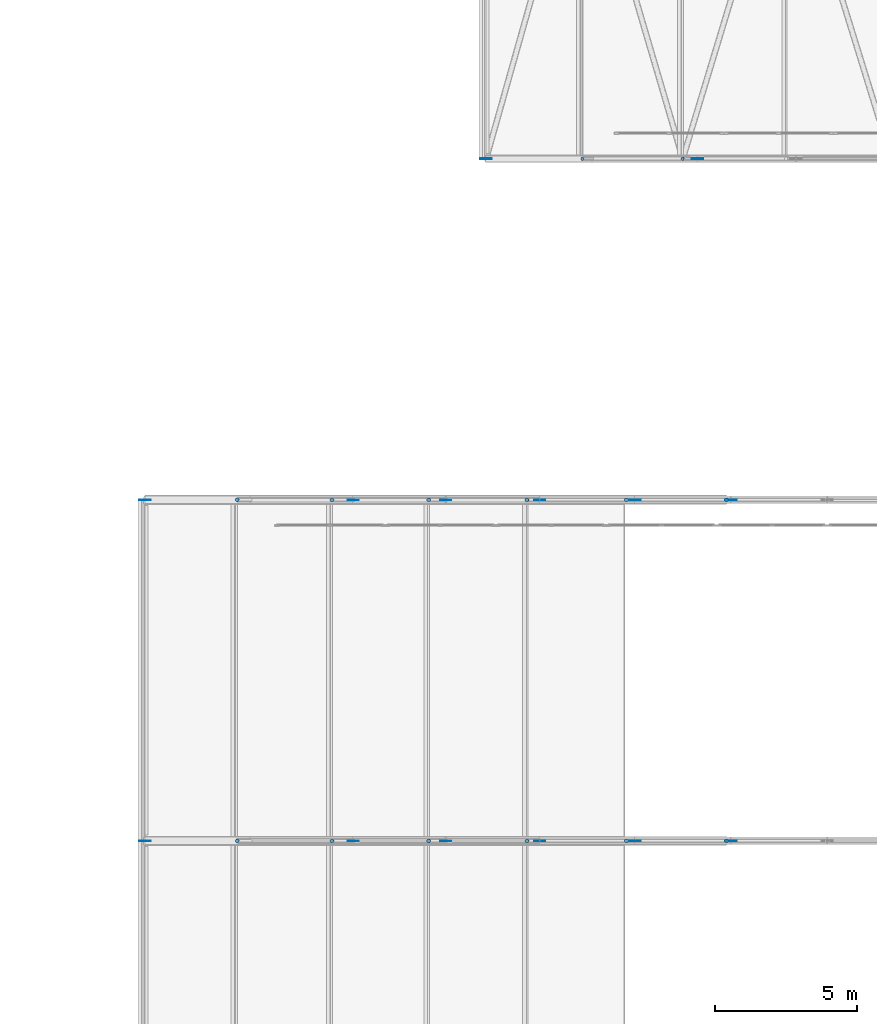
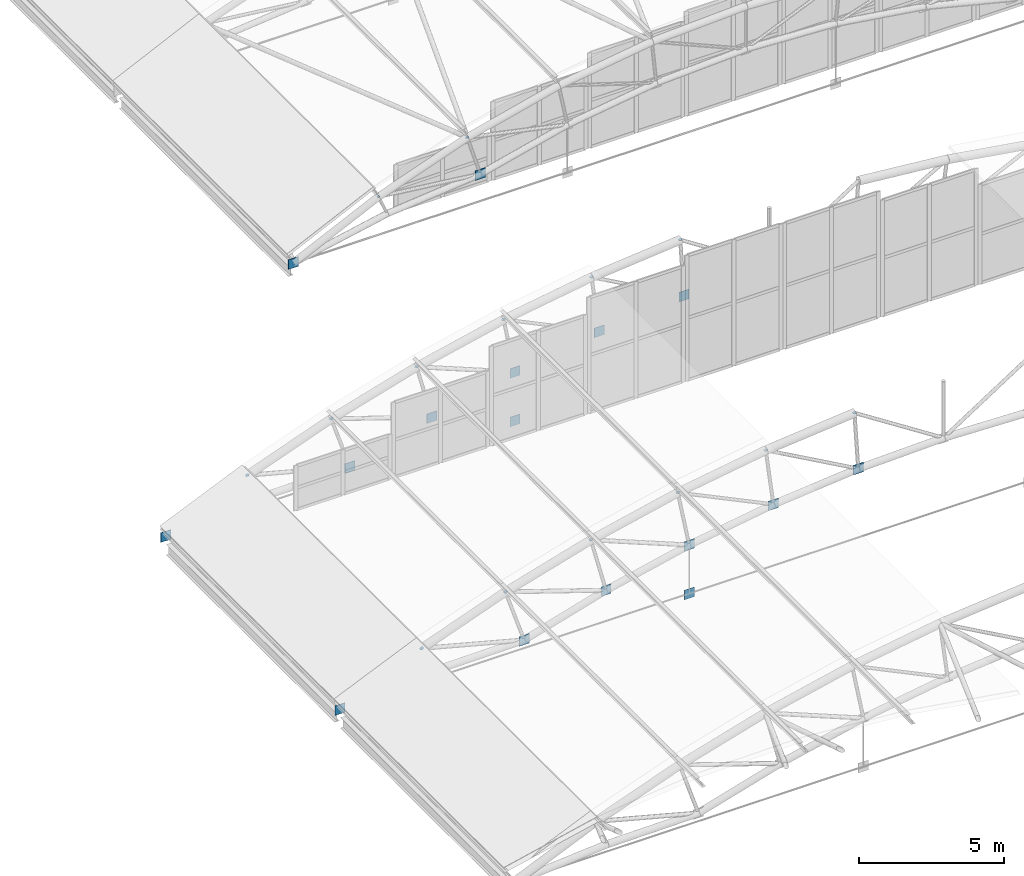
# One storey, part 290 of 321: 30 discrete accessories.
"""IFC4 building model written with IfcOpenShell, lengths in metres."""

import ifcopenshell
import ifcopenshell.guid

model = None  # the IFC model being written
_history = None  # IfcOwnerHistory: only IFC2X3 demands one
_inside = {}  # id of a spatial element -> (the spatial element, [elements in it])
_under = {}  # id of a project, library or spatial element -> (it, [spatial elements below it])
_declared = {}  # id of a project -> (the project, [libraries it declares])
_typed = {}  # id of a type object -> (the type object, [elements of that type])
_made_of = {}  # id of a material, layer set ... -> (it, [elements and type objects made of it])


def new_model(schema):
    """Start an empty IFC model of exactly this schema.

    Asked for "IFC4X3", IfcOpenShell would pick the latest addendum, in which some entities
    have other attributes; the version numbers below select the first issue.
    IFC2X3 requires an IfcOwnerHistory on every rooted entity: one is made here for all.
    """
    global model, _history
    if schema == "IFC4X3":
        model = ifcopenshell.file(schema_version=(4, 3, 0, 0))
    else:
        model = ifcopenshell.file(schema=schema)
    _inside.clear()
    _under.clear()
    _declared.clear()
    _typed.clear()
    _made_of.clear()
    _history = None
    if model.schema == "IFC2X3":
        org = make("IfcOrganization", Name="unknown")
        user = make(
            "IfcPersonAndOrganization",
            ThePerson=make("IfcPerson", FamilyName="unknown"),
            TheOrganization=org,
        )
        app = make(
            "IfcApplication",
            ApplicationDeveloper=org,
            Version="unknown",
            ApplicationFullName="unknown",
            ApplicationIdentifier="unknown",
        )
        _history = make(
            "IfcOwnerHistory",
            OwningUser=user,
            OwningApplication=app,
            ChangeAction="ADDED",
            CreationDate=0,
        )
    return model


def make(cls, **values):
    """One entity of the class cls with the attributes given. An attribute that is None is left unset."""
    return model.create_entity(
        cls, **{name: value for name, value in values.items() if value is not None}
    )


def rooted(cls, **values):
    """An entity with a GlobalId (a new one), such as an element, a storey or a relation."""
    return make(cls, GlobalId=ifcopenshell.guid.new(), OwnerHistory=_history, **values)


def si_unit(unit_type, name, prefix=None):
    """IfcSIUnit, for example si_unit("LENGTHUNIT", "METRE", prefix="MILLI")."""
    return make("IfcSIUnit", UnitType=unit_type, Prefix=prefix, Name=name)


def assignment(units):
    """IfcUnitAssignment: the units of a project."""
    return None if units is None else make("IfcUnitAssignment", Units=units)


def point(xyz):
    """IfcCartesianPoint."""
    return None if xyz is None else make("IfcCartesianPoint", Coordinates=xyz)


def direction(xyz):
    """IfcDirection."""
    return None if xyz is None else make("IfcDirection", DirectionRatios=xyz)


def frame(location, z_axis=None, x_axis=None):
    """IfcAxis2Placement3D, a coordinate frame: its origin and axes. An axis left out is left unset."""
    return make(
        "IfcAxis2Placement3D",
        Location=point(location),
        Axis=direction(z_axis),
        RefDirection=direction(x_axis),
    )


def frame_2d(location, x_axis=None):
    """IfcAxis2Placement2D, a coordinate frame in the plane: its origin and x axis."""
    return make(
        "IfcAxis2Placement2D", Location=point(location), RefDirection=direction(x_axis)
    )


def origin():
    """The frame at (0, 0, 0) with its axes left unset."""
    return frame((0.0, 0.0, 0.0))


def origin_2d():
    """The frame at (0, 0) in the plane with its x axis left unset."""
    return frame_2d((0.0, 0.0))


def place(relative_to, where):
    """IfcLocalPlacement: puts the frame where relative to a parent placement (None: the world)."""
    return make(
        "IfcLocalPlacement", PlacementRelTo=relative_to, RelativePlacement=where
    )


def context(
    kind, dimensions, precision=None, world=None, true_north=None, identifier=None
):
    """IfcGeometricRepresentationContext, for example the 3D "Model" context."""
    return make(
        "IfcGeometricRepresentationContext",
        ContextIdentifier=identifier,
        ContextType=kind,
        CoordinateSpaceDimension=dimensions,
        Precision=precision,
        WorldCoordinateSystem=world,
        TrueNorth=true_north,
    )


def subcontext(parent, identifier, kind, view, scale=None):
    """IfcGeometricRepresentationSubContext, for example "Body" below "Model"."""
    return make(
        "IfcGeometricRepresentationSubContext",
        ContextIdentifier=identifier,
        ContextType=kind,
        ParentContext=parent,
        TargetScale=scale,
        TargetView=view,
    )


def project(units=None, contexts=None):
    """IfcProject with its units and contexts."""
    return rooted(
        "IfcProject",
        Name="project",
        RepresentationContexts=contexts,
        UnitsInContext=assignment(units),
    )


def spatial(cls, under=None, at=None, **own):
    """A site, building, storey or space (cls), placed at a placement, below another one or the project."""
    s = rooted(cls, ObjectPlacement=at, **own)
    if under is not None:
        _under.setdefault(under.id(), (under, []))[1].append(s)
    return s


def profile(cls, at=None, kind="AREA", **sizes):
    """A parametric profile (cls). Its sizes go by their IFC names, for example OverallWidth=200.0."""
    return make(cls, ProfileType=kind, Position=at, **sizes)


def rectangle(**sizes):
    """IfcRectangleProfileDef."""
    return profile("IfcRectangleProfileDef", **sizes)


def circle(**sizes):
    """IfcCircleProfileDef."""
    return profile("IfcCircleProfileDef", **sizes)


def extrude(swept, where, along, depth):
    """IfcExtrudedAreaSolid: the profile swept, set in the frame where, extruded along a direction by depth."""
    return make(
        "IfcExtrudedAreaSolid",
        SweptArea=swept,
        Position=where,
        ExtrudedDirection=direction(along),
        Depth=depth,
    )


def shape(context_of_items, identifier, shape_type, items):
    """IfcShapeRepresentation: the items that make up one representation, for example the "Body"."""
    return make(
        "IfcShapeRepresentation",
        ContextOfItems=context_of_items,
        RepresentationIdentifier=identifier,
        RepresentationType=shape_type,
        Items=items,
    )


def material(Name=None, Category=None):
    """IfcMaterial."""
    return make("IfcMaterial", Name=Name, Category=Category)


def material_profile(
    of_material, cross_section, Name=None, Category=None, Priority=None
):
    """IfcMaterialProfile: a cross section and its material."""
    return make(
        "IfcMaterialProfile",
        Name=Name,
        Material=of_material,
        Profile=cross_section,
        Priority=Priority,
        Category=Category,
    )


def profile_set(profiles, Name=None, composite=None):
    """IfcMaterialProfileSet."""
    return make(
        "IfcMaterialProfileSet",
        Name=Name,
        MaterialProfiles=profiles,
        CompositeProfile=composite,
    )


def made_of(thing, what):
    """Note that an element or type object is made of a material, layer set ...; save() writes the relation."""
    if what is not None:
        _made_of.setdefault(what.id(), (what, []))[1].append(thing)
    return thing


def type_object(cls, material=None, **own):
    """A type object (cls), such as IfcWallType, which elements share."""
    return made_of(rooted(cls, **own), material)


def element(
    cls,
    number,
    at=None,
    inside=None,
    cuts=None,
    type_object=None,
    material=None,
    context=None,
    identifier="Body",
    shape_type=None,
    held_by="IfcProductDefinitionShape",
    body=None,
    shapes=None,
    **own,
):
    """One element of the class cls, such as IfcWall. Its Tag is "e" and its number.

    at: its placement. inside: the storey or other place that contains it. cuts: it is an
    opening in that element (IfcRelVoidsElement). A single representation is given by context,
    identifier, shape_type and body (its items); several are given by shapes. held_by: the class
    of the entity that holds the representations. save() writes the other relations.
    """
    e = rooted(cls, Tag="e%d" % number, ObjectPlacement=at, **own)
    if body is not None:
        shapes = [shape(context, identifier, shape_type, body)]
    if shapes is not None:
        e.Representation = make(held_by, Representations=shapes)
    if inside is not None:
        _inside.setdefault(inside.id(), (inside, []))[1].append(e)
    if cuts is not None:
        rooted(
            "IfcRelVoidsElement", RelatingBuildingElement=cuts, RelatedOpeningElement=e
        )
    if type_object is not None:
        _typed.setdefault(type_object.id(), (type_object, []))[1].append(e)
    return made_of(e, material)


def aggregate(whole, parts):
    """IfcRelAggregates: a whole, such as a stair, and the parts it consists of."""
    return rooted("IfcRelAggregates", RelatingObject=whole, RelatedObjects=parts)


def save(model, path):
    """Write the relations noted so far, then the file.

    IfcRelAggregates (storeys below a building ...), IfcRelContainedInSpatialStructure (elements
    in a storey), IfcRelDefinesByType, IfcRelAssociatesMaterial and IfcRelDeclares: one each for
    every whole, place, type object, material and project.
    """
    for whole, parts in _under.values():
        aggregate(whole, parts)
    for where, things in _inside.values():
        rooted(
            "IfcRelContainedInSpatialStructure",
            RelatedElements=things,
            RelatingStructure=where,
        )
    for kind, things in _typed.values():
        rooted("IfcRelDefinesByType", RelatedObjects=things, RelatingType=kind)
    for what, things in _made_of.values():
        rooted("IfcRelAssociatesMaterial", RelatedObjects=things, RelatingMaterial=what)
    for by, libraries in _declared.values():
        rooted("IfcRelDeclares", RelatingContext=by, RelatedDefinitions=libraries)
    model.write(path)


model = new_model("IFC4")

# Units and contexts
model_context = context("Model", 3, precision=1e-05, world=origin(), true_north=direction((0.0, 1.0)))
body_context = subcontext(model_context, "Body", "Model", "MODEL_VIEW")
ifc_project = project(units=[si_unit("LENGTHUNIT", "METRE"), si_unit("AREAUNIT", "SQUARE_METRE"), si_unit("VOLUMEUNIT", "CUBIC_METRE"), si_unit("PLANEANGLEUNIT", "RADIAN"), si_unit("MASSUNIT", "GRAM", prefix="KILO")], contexts=[model_context])

# Site, building, storey
site_placement = place(None, origin())
site = spatial("IfcSite", under=ifc_project, at=site_placement, CompositionType="ELEMENT")
building_placement = place(site_placement, origin())
building = spatial("IfcBuilding", under=site, at=building_placement, Name="Ravi Spectrum Wholesale Market", CompositionType="ELEMENT")
storey_placement = place(building_placement, frame((0.0, 0.0, 10.800048828125)))
storey = spatial("IfcBuildingStorey", under=building, at=storey_placement, Name="L02", CompositionType="ELEMENT", Elevation=10.800048828125)

# Discrete accessories
ifc_material_1 = material(Name="Steel S355", Category="steel")
ifc_material_profile_1 = material_profile(ifc_material_1, circle(Radius=0.05712890625, at=origin_2d()))
ifc_profile_set_1 = profile_set([ifc_material_profile_1], Name="Steel S355")
discrete_accessory_type_1 = type_object("IfcDiscreteAccessoryType", Name="End plate CHS 114.3x4", PredefinedType="BRACKET", material=ifc_profile_set_1)
discrete_accessory_1_placement = place(storey_placement, frame((165.38818359375, 138.0, 1.59912109375), z_axis=(-0.371390676354, 0.0, 0.928476690885), x_axis=(0.0, -1.0, 0.0)))
element("IfcDiscreteAccessory", 1, at=discrete_accessory_1_placement, inside=storey, type_object=discrete_accessory_type_1, Name="End plate", PredefinedType="BRACKET", context=body_context, shape_type="SweptSolid", body=[
    extrude(circle(Radius=0.05712890625, at=origin_2d()), origin(), (0.0, 0.0, 1.0), 0.01171875),
])
discrete_accessory_2_placement = place(storey_placement, frame((168.916748046875, 138.0, 2.859130859375), z_axis=(-0.2854765866, 0.0, 0.958385683586), x_axis=(0.0, -1.0, 0.0)))
element("IfcDiscreteAccessory", 2, at=discrete_accessory_2_placement, inside=storey, type_object=discrete_accessory_type_1, Name="End plate", PredefinedType="BRACKET", context=body_context, shape_type="SweptSolid", body=[
    extrude(circle(Radius=0.05712890625, at=origin_2d()), origin(), (0.0, 0.0, 1.0), 0.011962890625),
])
ifc_material_2 = material(Name="Steel S355", Category="steel")
ifc_material_profile_2 = material_profile(ifc_material_2, circle(Radius=0.06982421875, at=origin_2d()))
ifc_profile_set_2 = profile_set([ifc_material_profile_2], Name="Steel S355")
discrete_accessory_type_2 = type_object("IfcDiscreteAccessoryType", Name="End plate CHS 139.7x5", PredefinedType="BRACKET", material=ifc_profile_set_2)
for number, where, z_axis, x_axis, name in (
    (3, (153.24755859375, 114.0, 1.415283203125), (-0.364399348581, 0.0, 0.931242779706), (0.0, -1.0, 0.0), "End plate"),
    (4, (156.577880859375, 114.0, 2.62255859375), (-0.304040173793, 0.0, 0.952659211219), (0.0, -1.0, 0.0), "End plate"),
    (5, (159.97802734375, 114.0, 3.6171875), (-0.247383245266, 0.0, 0.968917710624), (0.0, -1.0, 0.0), "End plate"),
    (6, (163.434326171875, 114.0, 4.394775390625), (-0.203954254112, 0.0, 0.978980419738), (0.0, -1.0, 0.0), "End plate"),
    (7, (166.9326171875, 114.0, 4.952392578125), (-0.121541190452, 0.0, 0.992586388695), (0.0, -1.0, 0.0), "End plate"),
    (8, (170.459228515625, 114.0, 5.2880859375), (-0.06111006328, 0.0, 0.998131033565), (0.0, -1.0, 0.0), "End plate"),
    (9, (153.24755859375, 126.0, 1.415283203125), (-0.364399348581, 0.0, 0.931242779706), (0.0, -1.0, 0.0), "End plate"),
    (10, (156.577880859375, 126.0, 2.62255859375), (-0.304040173793, 0.0, 0.952659211219), (0.0, -1.0, 0.0), "End plate"),
    (11, (159.97802734375, 126.0, 3.6171875), (-0.247383245266, 0.0, 0.968917710624), (0.0, -1.0, 0.0), "End plate"),
    (12, (163.434326171875, 126.0, 4.394775390625), (-0.203954254112, 0.0, 0.978980419738), (0.0, -1.0, 0.0), "End plate"),
    (13, (166.9326171875, 126.0, 4.952392578125), (-0.121541190452, 0.0, 0.992586388695), (0.0, -1.0, 0.0), "End plate"),
    (14, (170.459228515625, 126.0, 5.2880859375), (-0.06111006328, 0.0, 0.998131033565), (0.0, -1.0, 0.0), "End plate"),
):
    element("IfcDiscreteAccessory", number, at=place(storey_placement, frame(where, z_axis=z_axis, x_axis=x_axis)), inside=storey, type_object=discrete_accessory_type_2, Name=name, PredefinedType="BRACKET", context=body_context, shape_type="SweptSolid", body=[
        extrude(circle(Radius=0.06982421875, at=origin_2d()), origin(), (0.0, 0.0, 1.0), 0.011962890625),
    ])
ifc_material_3 = material(Name="Steel S355", Category="steel")
ifc_material_profile_3 = material_profile(ifc_material_3, rectangle(XDim=0.39990234375, YDim=0.02001953125, at=origin_2d()))
ifc_profile_set_3 = profile_set([ifc_material_profile_3], Name="Steel S355")
discrete_accessory_type_3 = type_object("IfcDiscreteAccessoryType", Name="Gusset plate 400x400x20", PredefinedType="BRACKET", material=ifc_profile_set_3)
for number, where, z_axis, x_axis, name in (
    (15, (150.0, 114.0, -0.199951171875), (0.0, 0.0, 1.0), (1.0, 0.0, 0.0), "Gusset plate"),
    (16, (150.0, 126.0, -0.199951171875), (0.0, 0.0, 1.0), (1.0, 0.0, 0.0), "Gusset plate"),
):
    element("IfcDiscreteAccessory", number, at=place(storey_placement, frame(where, z_axis=z_axis, x_axis=x_axis)), inside=storey, type_object=discrete_accessory_type_3, Name=name, PredefinedType="BRACKET", context=body_context, shape_type="SweptSolid", body=[
        extrude(rectangle(XDim=0.39990234375, YDim=0.02001953125, at=origin_2d()), origin(), (0.0, 0.0, 1.0), 0.39990234375),
    ])
for number, where, z_axis, x_axis, name in (
    (17, (157.32421875, 114.0, 0.1416015625), (0.0, 0.0, 1.0), (1.0, 0.0, 0.0), "Gusset plate"),
    (18, (157.32421875, 126.0, 0.1416015625), (0.0, 0.0, 1.0), (1.0, 0.0, 0.0), "Gusset plate"),
):
    element("IfcDiscreteAccessory", number, at=place(storey_placement, frame(where, z_axis=z_axis, x_axis=x_axis)), inside=storey, type_object=discrete_accessory_type_3, Name=name, PredefinedType="BRACKET", context=body_context, shape_type="SweptSolid", body=[
        extrude(rectangle(XDim=0.39990234375, YDim=0.02001953125, at=origin_2d()), origin(), (0.0, 0.0, 1.0), 0.400146484375),
    ])
for number, where, z_axis, x_axis, name in (
    (19, (160.57861328125, 114.0, 1.093505859375), (0.0, 0.0, 1.0), (1.0, 0.0, 0.0), "Gusset plate"),
    (20, (160.57861328125, 126.0, 1.093505859375), (0.0, 0.0, 1.0), (1.0, 0.0, 0.0), "Gusset plate"),
    (21, (162.0, 138.0, -0.199951171875), (0.0, 0.0, 1.0), (1.0, 0.0, 0.0), "Gusset plate"),
    (22, (163.88671875, 114.0, -0.199951171875), (0.0, 0.0, 1.0), (1.0, 0.0, 0.0), "Gusset plate"),
    (23, (163.88671875, 114.0, 1.837890625), (0.0, 0.0, 1.0), (1.0, 0.0, 0.0), "Gusset plate"),
    (24, (163.88671875, 126.0, -0.199951171875), (0.0, 0.0, 1.0), (1.0, 0.0, 0.0), "Gusset plate"),
    (25, (163.88671875, 126.0, 1.837890625), (0.0, 0.0, 1.0), (1.0, 0.0, 0.0), "Gusset plate"),
):
    element("IfcDiscreteAccessory", number, at=place(storey_placement, frame(where, z_axis=z_axis, x_axis=x_axis)), inside=storey, type_object=discrete_accessory_type_3, Name=name, PredefinedType="BRACKET", context=body_context, shape_type="SweptSolid", body=[
        extrude(rectangle(XDim=0.39990234375, YDim=0.02001953125, at=origin_2d()), origin(), (0.0, 0.0, 1.0), 0.39990234375),
    ])
for number, where, z_axis, x_axis, name in (
    (26, (167.2353515625, 114.0, 2.37158203125), (0.0, 0.0, 1.0), (1.0, 0.0, 0.0), "Gusset plate"),
    (27, (167.2353515625, 126.0, 2.37158203125), (0.0, 0.0, 1.0), (1.0, 0.0, 0.0), "Gusset plate"),
):
    element("IfcDiscreteAccessory", number, at=place(storey_placement, frame(where, z_axis=z_axis, x_axis=x_axis)), inside=storey, type_object=discrete_accessory_type_3, Name=name, PredefinedType="BRACKET", context=body_context, shape_type="SweptSolid", body=[
        extrude(rectangle(XDim=0.39990234375, YDim=0.02001953125, at=origin_2d()), origin(), (0.0, 0.0, 1.0), 0.400146484375),
    ])
for number, where, z_axis, x_axis, name in (
    (28, (169.438232421875, 138.0, 0.936279296875), (0.0, 0.0, 1.0), (1.0, 0.0, 0.0), "Gusset plate"),
    (29, (170.61083984375, 114.0, 2.69287109375), (0.0, 0.0, 1.0), (1.0, 0.0, 0.0), "Gusset plate"),
    (30, (170.61083984375, 126.0, 2.69287109375), (0.0, 0.0, 1.0), (1.0, 0.0, 0.0), "Gusset plate"),
):
    element("IfcDiscreteAccessory", number, at=place(storey_placement, frame(where, z_axis=z_axis, x_axis=x_axis)), inside=storey, type_object=discrete_accessory_type_3, Name=name, PredefinedType="BRACKET", context=body_context, shape_type="SweptSolid", body=[
        extrude(rectangle(XDim=0.39990234375, YDim=0.02001953125, at=origin_2d()), origin(), (0.0, 0.0, 1.0), 0.39990234375),
    ])

save(model, "model.ifc")
